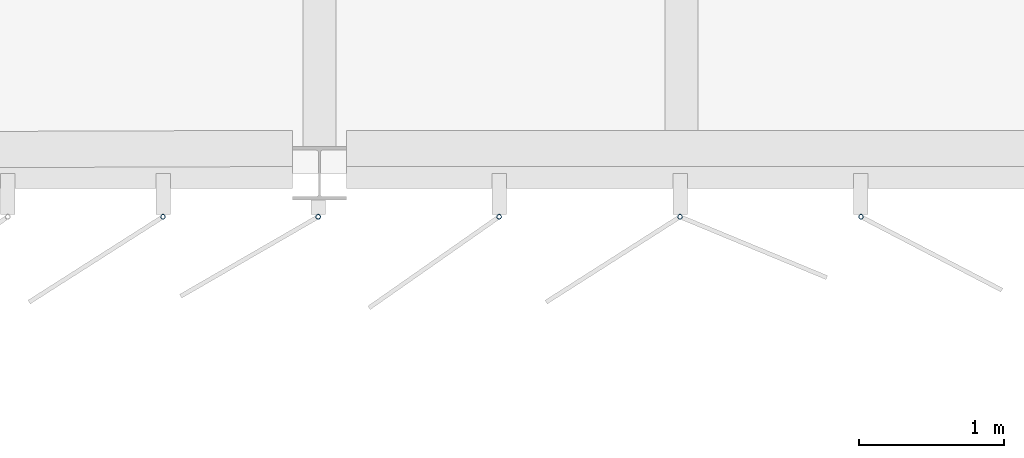
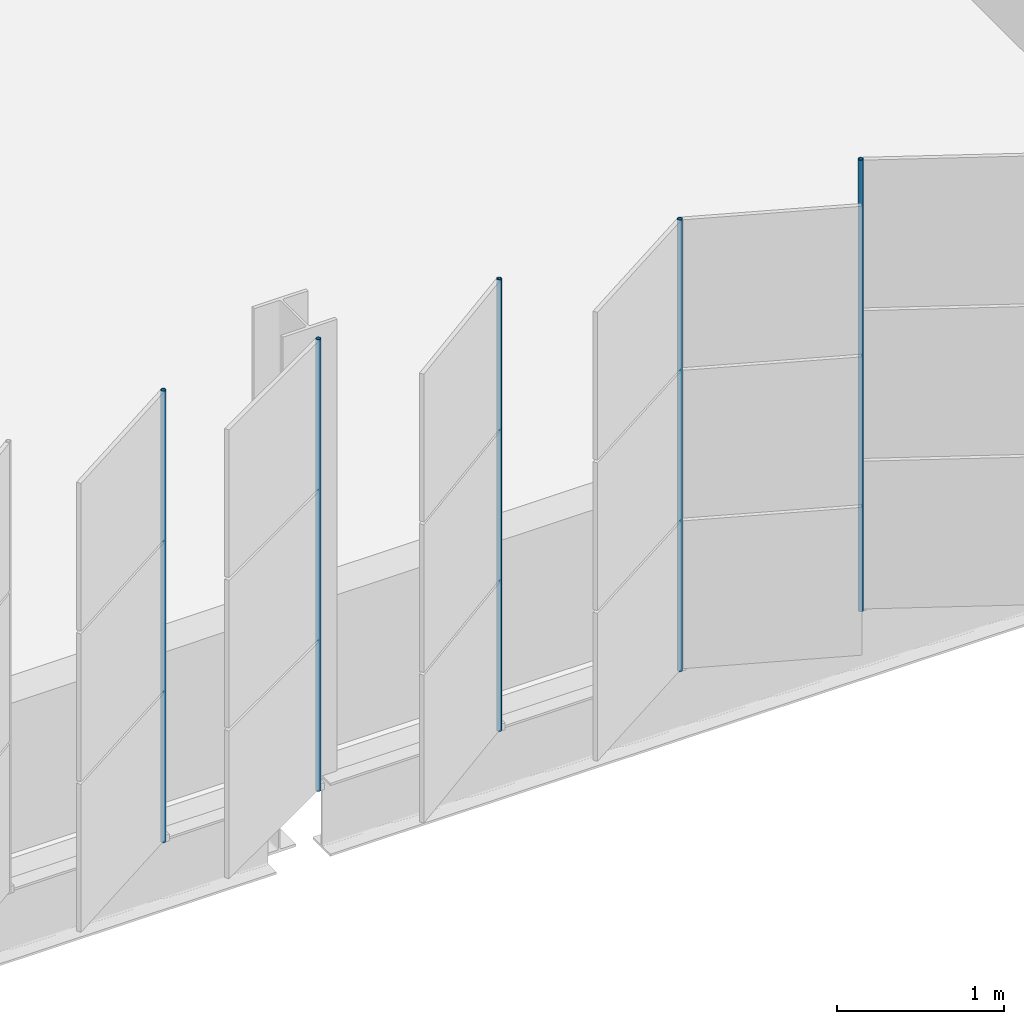
# One storey, part 86 of 199: 5 discrete accessories.
"""IFC4 building model written with IfcOpenShell, lengths in metres."""

from ifc_helpers import new_model, si_unit, direction, frame, origin, origin_2d, place, context, subcontext, project, spatial, hollow_circle, extrude, material, material_profile, profile_set, type_object, element, save


model = new_model("IFC4")

# Units and contexts
model_context = context("Model", 3, precision=1e-05, world=origin(), true_north=direction((0.0, 1.0)))
body_context = subcontext(model_context, "Body", "Model", "MODEL_VIEW")
ifc_project = project(units=[si_unit("LENGTHUNIT", "METRE"), si_unit("AREAUNIT", "SQUARE_METRE"), si_unit("VOLUMEUNIT", "CUBIC_METRE"), si_unit("PLANEANGLEUNIT", "RADIAN"), si_unit("MASSUNIT", "GRAM", prefix="KILO")], contexts=[model_context])

# Site, building, storey
site_placement = place(None, origin())
site = spatial("IfcSite", under=ifc_project, at=site_placement, CompositionType="ELEMENT")
building_placement = place(site_placement, origin())
building = spatial("IfcBuilding", under=site, at=building_placement, Name="Parallax Yard Mobility Hub", CompositionType="ELEMENT")
storey_placement = place(building_placement, frame((0.0, 0.0, 9.89990234375)))
storey = spatial("IfcBuildingStorey", under=building, at=storey_placement, Name="L03", CompositionType="ELEMENT", Elevation=9.89990234375)

# Discrete accessories
ifc_material = material(Name="Steel ASTM A500 Gr C, hot-dip galvanised", Category="steel")
ifc_material_profile = material_profile(ifc_material, hollow_circle(Radius=0.016845703125, WallThickness=0.003173828125, at=origin_2d()), Name="CHS 33.7x3.2")
ifc_profile_set = profile_set([ifc_material_profile], Name="Steel ASTM A500 Gr C, hot-dip galvanised")
discrete_accessory_type = type_object("IfcDiscreteAccessoryType", Name="Hinge post CHS 33.7x3.2", PredefinedType="BRACKET", material=ifc_profile_set)
for number, where, z_axis, x_axis, name in (
    (1, (118.919921875, 112.199951171875, 0.0), (0.0, 0.0, 1.0), (1.0, 0.0, 0.0), "Hinge post bay 11.7 level L03"),
    (2, (119.991455078125, 112.199951171875, 0.0), (0.0, 0.0, 1.0), (1.0, 0.0, 0.0), "Hinge post bay 12.1 level L03"),
    (3, (121.24072265625, 112.199951171875, 0.0), (0.0, 0.0, 1.0), (1.0, 0.0, 0.0), "Hinge post bay 12.2 level L03"),
    (4, (122.489990234375, 112.199951171875, 0.0), (0.0, 0.0, 1.0), (1.0, 0.0, 0.0), "Hinge post bay 12.3 level L03"),
    (5, (123.7392578125, 112.199951171875, 0.0), (0.0, 0.0, 1.0), (1.0, 0.0, 0.0), "Hinge post bay 12.4 level L03"),
):
    element("IfcDiscreteAccessory", number, at=place(storey_placement, frame(where, z_axis=z_axis, x_axis=x_axis)), inside=storey, type_object=discrete_accessory_type, Name=name, PredefinedType="BRACKET", context=body_context, shape_type="SweptSolid", body=[
        extrude(hollow_circle(Radius=0.016845703125, WallThickness=0.003173828125, at=origin_2d()), origin(), (0.0, 0.0, 1.0), 3.300048828125),
    ])

save(model, "model.ifc")
